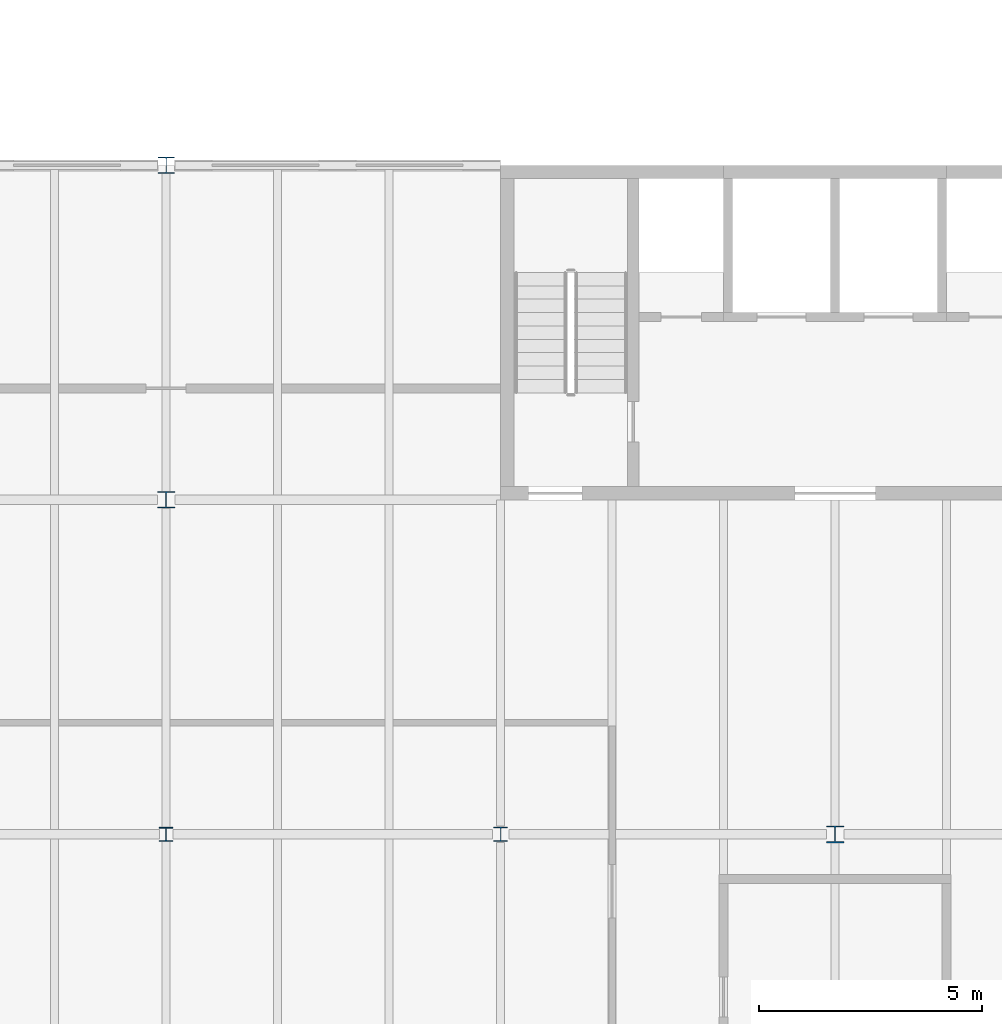
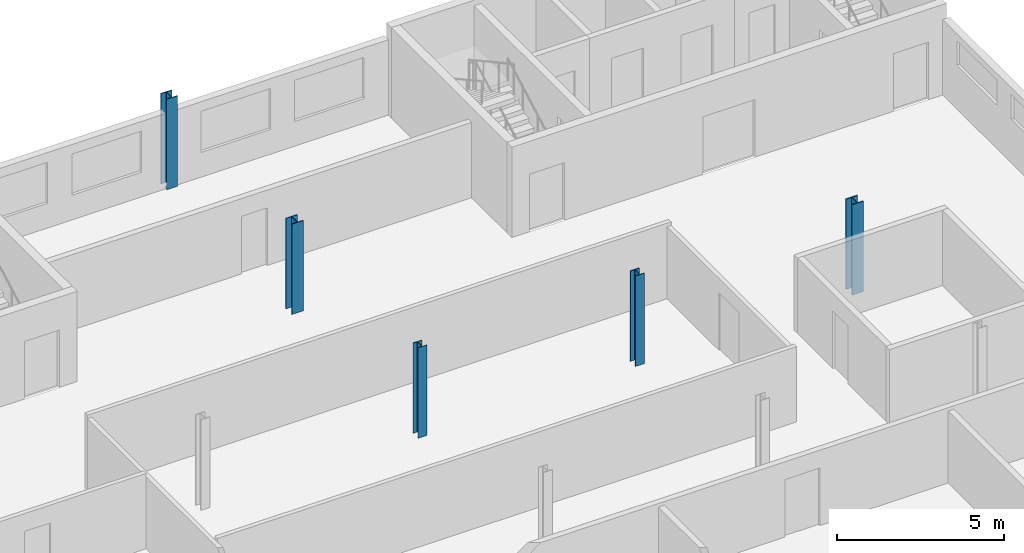
# One storey, part 13 of 214: 5 columns.
"""IFC4 building model written with IfcOpenShell, lengths in metres."""

from ifc_helpers import new_model, si_unit, direction, frame, origin, origin_2d, place, context, subcontext, project, spatial, i_section, extrude, material, material_profile, profile_set, type_object, element, save


model = new_model("IFC4")

# Units and contexts
model_context = context("Model", 3, precision=1e-05, world=origin(), true_north=direction((0.0, 1.0)))
body_context = subcontext(model_context, "Body", "Model", "MODEL_VIEW")
ifc_project = project(units=[si_unit("LENGTHUNIT", "METRE"), si_unit("AREAUNIT", "SQUARE_METRE"), si_unit("VOLUMEUNIT", "CUBIC_METRE"), si_unit("PLANEANGLEUNIT", "RADIAN"), si_unit("MASSUNIT", "GRAM", prefix="KILO")], contexts=[model_context])

# Site, building, storey
site_placement = place(None, origin())
site = spatial("IfcSite", under=ifc_project, at=site_placement, CompositionType="ELEMENT")
building_placement = place(site_placement, origin())
building = spatial("IfcBuilding", under=site, at=building_placement, Name="Parallax Yard Mobility Hub", CompositionType="ELEMENT")
storey_placement = place(building_placement, frame((0.0, 0.0, 3.300048828125)))
storey = spatial("IfcBuildingStorey", under=building, at=storey_placement, Name="L01", CompositionType="ELEMENT", Elevation=3.300048828125)

# Columns
ifc_material = material(Name="Steel ASTM A992", Category="steel")
ifc_material_profile_1 = material_profile(ifc_material, i_section(OverallWidth=0.304931640625, OverallDepth=0.31201171875, WebThickness=0.010986328125, FlangeThickness=0.01708984375, FilletRadius=0.015380859375, at=origin_2d()), Name="W310x107")
ifc_profile_set_1 = profile_set([ifc_material_profile_1], Name="Steel ASTM A992")
column_type_1 = type_object("IfcColumnType", Name="W310x107 column", PredefinedType="COLUMN", material=ifc_profile_set_1)
column_1_placement = place(storey_placement, frame((120.0, 37.5, 0.0), z_axis=(0.0, 0.0, 1.0), x_axis=(1.0, 0.0, 0.0)))
element("IfcColumn", 1, at=column_1_placement, inside=storey, type_object=column_type_1, Name="Column C2 level L01 at F/17 of mobility service centre and workshops", PredefinedType="COLUMN", context=body_context, shape_type="SweptSolid", body=[
    extrude(i_section(OverallWidth=0.304931640625, OverallDepth=0.31201171875, WebThickness=0.010986328125, FlangeThickness=0.01708984375, FilletRadius=0.015380859375, at=origin_2d()), origin(), (0.0, 0.0, 1.0), 3.300048828125),
])
ifc_material_profile_2 = material_profile(ifc_material, i_section(OverallWidth=0.31005859375, OverallDepth=0.327880859375, WebThickness=0.015380859375, FlangeThickness=0.025146484375, FilletRadius=0.015380859375, at=origin_2d()), Name="W310x158")
ifc_profile_set_2 = profile_set([ifc_material_profile_2], Name="Steel ASTM A992")
column_type_2 = type_object("IfcColumnType", Name="W310x158 column", PredefinedType="COLUMN", material=ifc_profile_set_2)
column_2_placement = place(storey_placement, frame((127.5, 37.5, 0.0), z_axis=(0.0, 0.0, 1.0), x_axis=(1.0, 0.0, 0.0)))
element("IfcColumn", 2, at=column_2_placement, inside=storey, type_object=column_type_2, Name="Column C6 level L01 at F/18 of mobility service centre and workshops", PredefinedType="COLUMN", context=body_context, shape_type="SweptSolid", body=[
    extrude(i_section(OverallWidth=0.31005859375, OverallDepth=0.327880859375, WebThickness=0.015380859375, FlangeThickness=0.025146484375, FilletRadius=0.015380859375, at=origin_2d()), origin(), (0.0, 0.0, 1.0), 3.300048828125),
])
ifc_material_profile_3 = material_profile(ifc_material, i_section(OverallWidth=0.373046875, OverallDepth=0.367919921875, WebThickness=0.014892578125, FlangeThickness=0.02392578125, FilletRadius=0.01513671875, at=origin_2d()), Name="W360x179")
ifc_profile_set_3 = profile_set([ifc_material_profile_3], Name="Steel ASTM A992")
column_type_3 = type_object("IfcColumnType", Name="W360x179 column", PredefinedType="COLUMN", material=ifc_profile_set_3)
column_3_placement = place(storey_placement, frame((120.0, 52.5, 0.0), z_axis=(0.0, 0.0, 1.0), x_axis=(1.0, 0.0, 0.0)))
element("IfcColumn", 3, at=column_3_placement, inside=storey, type_object=column_type_3, Name="Column C7 level L01 at H/17 of mobility service centre and workshops", PredefinedType="COLUMN", context=body_context, shape_type="SweptSolid", body=[
    extrude(i_section(OverallWidth=0.373046875, OverallDepth=0.367919921875, WebThickness=0.014892578125, FlangeThickness=0.02392578125, FilletRadius=0.01513671875, at=origin_2d()), origin(), (0.0, 0.0, 1.0), 3.300048828125),
])
ifc_material_profile_4 = material_profile(ifc_material, i_section(OverallWidth=0.39404296875, OverallDepth=0.3759765625, WebThickness=0.017333984375, FlangeThickness=0.027587890625, FilletRadius=0.01513671875, at=origin_2d()), Name="W360x216")
ifc_profile_set_4 = profile_set([ifc_material_profile_4], Name="Steel ASTM A992")
column_type_4 = type_object("IfcColumnType", Name="W360x216 column", PredefinedType="COLUMN", material=ifc_profile_set_4)
column_4_placement = place(storey_placement, frame((120.0, 45.0, 0.0), z_axis=(0.0, 0.0, 1.0), x_axis=(1.0, 0.0, 0.0)))
element("IfcColumn", 4, at=column_4_placement, inside=storey, type_object=column_type_4, Name="Column C9 level L01 at G/17 of mobility service centre and workshops", PredefinedType="COLUMN", context=body_context, shape_type="SweptSolid", body=[
    extrude(i_section(OverallWidth=0.39404296875, OverallDepth=0.3759765625, WebThickness=0.017333984375, FlangeThickness=0.027587890625, FilletRadius=0.01513671875, at=origin_2d()), origin(), (0.0, 0.0, 1.0), 3.300048828125),
])
ifc_material_profile_5 = material_profile(ifc_material, i_section(OverallWidth=0.39599609375, OverallDepth=0.381103515625, WebThickness=0.018798828125, FlangeThickness=0.0302734375, FilletRadius=0.015380859375, at=origin_2d()), Name="W360x237")
ifc_profile_set_5 = profile_set([ifc_material_profile_5], Name="Steel ASTM A992")
column_type_5 = type_object("IfcColumnType", Name="W360x237 column", PredefinedType="COLUMN", material=ifc_profile_set_5)
column_5_placement = place(storey_placement, frame((135.0, 37.5, 0.0), z_axis=(0.0, 0.0, 1.0), x_axis=(1.0, 0.0, 0.0)))
element("IfcColumn", 5, at=column_5_placement, inside=storey, type_object=column_type_5, Name="Column C10 level L01 at F/19 of mobility service centre and workshops", PredefinedType="COLUMN", context=body_context, shape_type="SweptSolid", body=[
    extrude(i_section(OverallWidth=0.39599609375, OverallDepth=0.381103515625, WebThickness=0.018798828125, FlangeThickness=0.0302734375, FilletRadius=0.015380859375, at=origin_2d()), origin(), (0.0, 0.0, 1.0), 3.300048828125),
])

save(model, "model.ifc")
